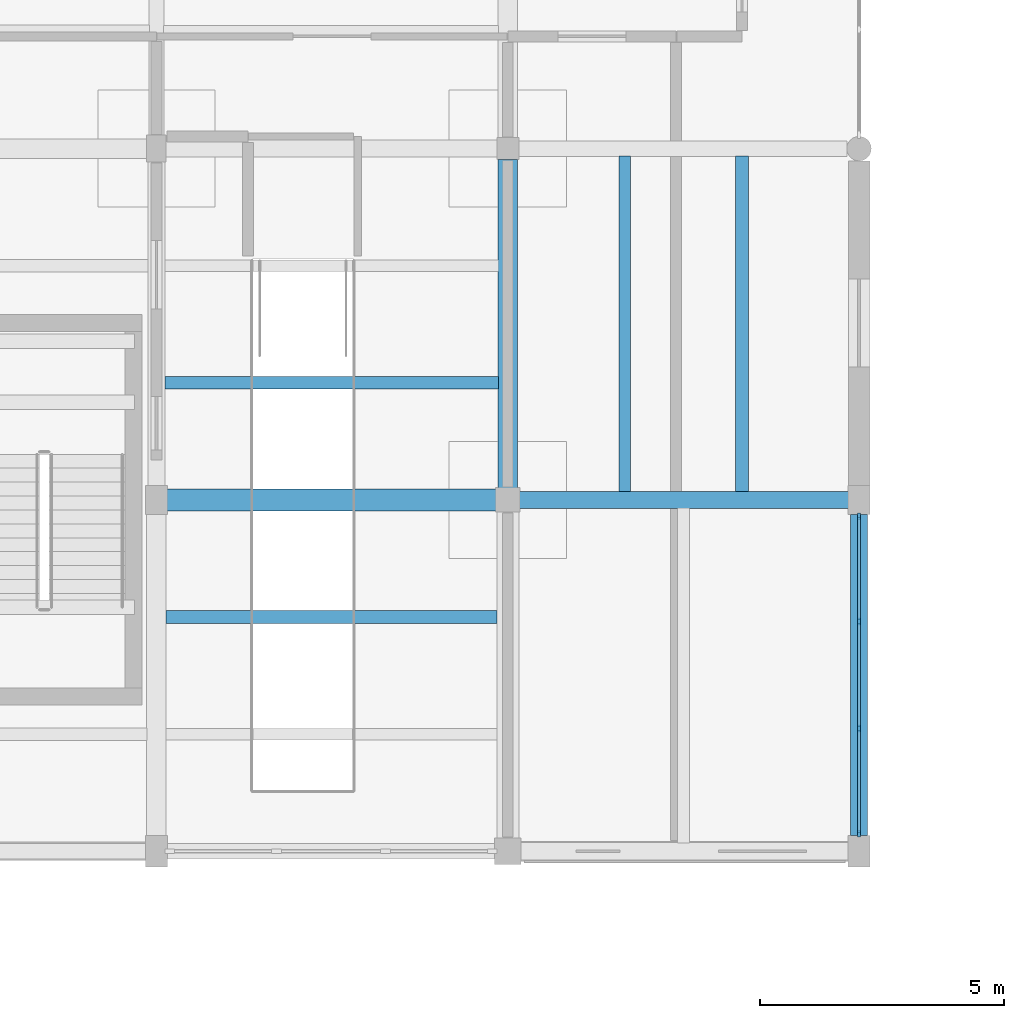
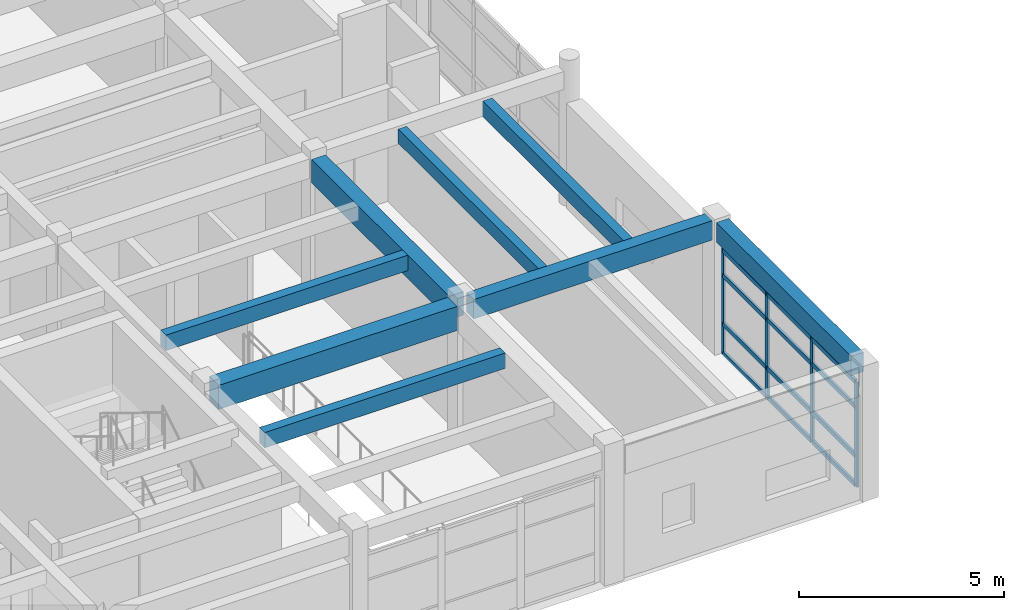
# One storey, part 48 of 110: 16 members, 8 beams, 1 element without a shape of its own.
"""IFC4 building model written with IfcOpenShell, lengths in metres."""

from ifc_helpers import new_model, si_unit, direction, frame, origin, origin_2d, place, context, subcontext, project, spatial, rectangle, extrude, material, material_profile, profile_set, type_object, element, aggregate, save


model = new_model("IFC4")

# Units and contexts
model_context = context("Model", 3, precision=1e-05, world=origin(), true_north=direction((0.0, 1.0)))
body_context = subcontext(model_context, "Body", "Model", "MODEL_VIEW")
ifc_project = project(units=[si_unit("LENGTHUNIT", "METRE"), si_unit("AREAUNIT", "SQUARE_METRE"), si_unit("VOLUMEUNIT", "CUBIC_METRE"), si_unit("PLANEANGLEUNIT", "RADIAN"), si_unit("MASSUNIT", "GRAM", prefix="KILO")], contexts=[model_context])

# Site, building, storey
site_placement = place(None, origin())
site = spatial("IfcSite", under=ifc_project, at=site_placement, CompositionType="ELEMENT")
building_placement = place(site_placement, origin())
building = spatial("IfcBuilding", under=site, at=building_placement, Name="Steenspoor Specialist Clinic", CompositionType="ELEMENT")
storey_placement = place(building_placement, frame((0.0, 0.0, 4.800048828125)))
storey = spatial("IfcBuildingStorey", under=building, at=storey_placement, Name="L01", CompositionType="ELEMENT", Elevation=4.800048828125)

# Beams
ifc_material_1 = material(Name="Concrete C35/45", Category="concrete")
ifc_material_profile_1 = material_profile(ifc_material_1, rectangle(XDim=0.35009765625, YDim=0.580078125, at=origin_2d()), Name="RC-BM-350X580")
ifc_profile_set_1 = profile_set([ifc_material_profile_1], Name="Concrete C35/45")
beam_type_1 = type_object("IfcBeamType", Name="BM-RC-350X580", PredefinedType="BEAM", material=ifc_profile_set_1)
beam_1_placement = place(storey_placement, frame((154.2451171875, 72.35009765625, 3.659912109375), z_axis=(1.0, 0.0, 0.0), x_axis=(0.0, 1.0, 0.0)))
element("IfcBeam", 1, at=beam_1_placement, inside=storey, type_object=beam_type_1, Name="BM-V6-L01-X1596", PredefinedType="BEAM", context=body_context, shape_type="SweptSolid", body=[
    extrude(rectangle(XDim=0.35009765625, YDim=0.580078125, at=origin_2d()), origin(), (0.0, 0.0, 1.0), 6.73486328125),
])
beam_2_placement = place(storey_placement, frame((161.199951171875, 65.469970703125, 3.659912109375), z_axis=(0.0, 1.0, 0.0), x_axis=(-1.0, 0.0, 0.0)))
element("IfcBeam", 2, at=beam_2_placement, inside=storey, type_object=beam_type_1, Name="BM-V6-L01-Y1597", PredefinedType="BEAM", context=body_context, shape_type="SweptSolid", body=[
    extrude(rectangle(XDim=0.35009765625, YDim=0.580078125, at=origin_2d()), origin(), (0.0, 0.0, 1.0), 6.5849609375),
])
ifc_material_profile_2 = material_profile(ifc_material_1, rectangle(XDim=0.39990234375, YDim=0.699951171875, at=origin_2d()), Name="RC-BM-400X700")
ifc_profile_set_2 = profile_set([ifc_material_profile_2], Name="Concrete C35/45")
beam_type_2 = type_object("IfcBeamType", Name="BM-RC-400X700", PredefinedType="BEAM", material=ifc_profile_set_2)
beam_3_placement = place(storey_placement, frame((154.0, 72.594970703125, 3.599853515625), z_axis=(0.0, 1.0, 0.0), x_axis=(-1.0, 0.0, 0.0)))
element("IfcBeam", 3, at=beam_3_placement, inside=storey, type_object=beam_type_2, Name="BM-V6-L01-Y1541", PredefinedType="BEAM", context=body_context, shape_type="SweptSolid", body=[
    extrude(rectangle(XDim=0.39990234375, YDim=0.699951171875, at=origin_2d()), origin(), (0.0, 0.0, 1.0), 6.735107421875),
])
ifc_material_profile_3 = material_profile(ifc_material_1, rectangle(XDim=0.449951171875, YDim=0.719970703125, at=origin_2d()), Name="RC-BM-450X720")
ifc_profile_set_3 = profile_set([ifc_material_profile_3], Name="Concrete C35/45")
beam_type_3 = type_object("IfcBeamType", Name="BM-RC-450X720", PredefinedType="BEAM", material=ifc_profile_set_3)
beam_4_placement = place(storey_placement, frame((147.02001953125, 72.35009765625, 3.58984375), z_axis=(1.0, 0.0, 0.0), x_axis=(0.0, 1.0, 0.0)))
element("IfcBeam", 4, at=beam_4_placement, inside=storey, type_object=beam_type_3, Name="BM-V6-L01-X1487", PredefinedType="BEAM", context=body_context, shape_type="SweptSolid", body=[
    extrude(rectangle(XDim=0.449951171875, YDim=0.719970703125, at=origin_2d()), origin(), (0.0, 0.0, 1.0), 6.73486328125),
])

# Curtain wall, members
ifc_material_2 = material(Name="Thermally broken aluminium and low-emissivity glass", Category="aluminium")
curtain_wall_type = type_object("IfcCurtainWallType", Name="CW-L00-660X415", PredefinedType="USERDEFINED", material=ifc_material_2)
curtain_wall_placement = place(storey_placement, origin())
curtain_wall = element("IfcCurtainWall", 5, at=curtain_wall_placement, inside=storey, type_object=curtain_wall_type, Name="Unitised Curtain Wall CW-V6-L01-172", ObjectType="UNITISED GLAZING", PredefinedType="USERDEFINED")
ifc_material_3 = material(Name="Thermally broken aluminium 6063-T6", Category="aluminium")
ifc_material_profile_4 = material_profile(ifc_material_3, rectangle(XDim=0.06005859375, YDim=0.135009765625, at=origin_2d()), Name="CWM-60X135")
ifc_profile_set_4 = profile_set([ifc_material_profile_4], Name="Thermally broken aluminium 6063-T6")
member_type_1 = type_object("IfcMemberType", Name="CW-MULL-60X135", PredefinedType="MULLION", material=ifc_profile_set_4)
member_1_placement = place(storey_placement, frame((161.199951171875, 72.02001953125, 0.0), z_axis=(0.0, 0.0, 1.0), x_axis=(1.0, 0.0, 0.0)))
member_1 = element("IfcMember", 6, at=member_1_placement, type_object=member_type_1, Name="CW-04 mullion 1", PredefinedType="MULLION", context=body_context, shape_type="SweptSolid", body=[
    extrude(rectangle(XDim=0.06005859375, YDim=0.135009765625, at=origin_2d()), origin(), (0.0, 0.0, 1.0), 3.1298828125),
])
member_2_placement = place(storey_placement, frame((161.199951171875, 69.8583984375, 0.0), z_axis=(0.0, 0.0, 1.0), x_axis=(1.0, 0.0, 0.0)))
member_2 = element("IfcMember", 7, at=member_2_placement, type_object=member_type_1, Name="CW-04 mullion 2", PredefinedType="MULLION", context=body_context, shape_type="SweptSolid", body=[
    extrude(rectangle(XDim=0.06005859375, YDim=0.135009765625, at=origin_2d()), origin(), (0.0, 0.0, 1.0), 3.1298828125),
])
member_3_placement = place(storey_placement, frame((161.199951171875, 67.666748046875, 0.0), z_axis=(0.0, 0.0, 1.0), x_axis=(1.0, 0.0, 0.0)))
member_3 = element("IfcMember", 8, at=member_3_placement, type_object=member_type_1, Name="CW-04 mullion 3", PredefinedType="MULLION", context=body_context, shape_type="SweptSolid", body=[
    extrude(rectangle(XDim=0.06005859375, YDim=0.135009765625, at=origin_2d()), origin(), (0.0, 0.0, 1.0), 3.1298828125),
])
member_4_placement = place(storey_placement, frame((161.199951171875, 65.5048828125, 0.0), z_axis=(0.0, 0.0, 1.0), x_axis=(1.0, 0.0, 0.0)))
member_4 = element("IfcMember", 9, at=member_4_placement, type_object=member_type_1, Name="CW-04 mullion 4", PredefinedType="MULLION", context=body_context, shape_type="SweptSolid", body=[
    extrude(rectangle(XDim=0.06005859375, YDim=0.135009765625, at=origin_2d()), origin(), (0.0, 0.0, 1.0), 3.1298828125),
])
ifc_material_profile_5 = material_profile(ifc_material_3, rectangle(XDim=0.06494140625, YDim=0.1298828125, at=origin_2d()), Name="CWT-65X130")
ifc_profile_set_5 = profile_set([ifc_material_profile_5], Name="Thermally broken aluminium 6063-T6")
member_type_2 = type_object("IfcMemberType", Name="CW-TRAN-65X130", PredefinedType="USERDEFINED", material=ifc_profile_set_5)
member_5_placement = place(storey_placement, frame((161.199951171875, 71.989990234375, 0.032470703125), z_axis=(0.0, -1.0, 0.0), x_axis=(1.0, 0.0, 0.0)))
member_5 = element("IfcMember", 10, at=member_5_placement, type_object=member_type_2, Name="CW-04 transom 1.1", ObjectType="TRANSOM", PredefinedType="USERDEFINED", context=body_context, shape_type="SweptSolid", body=[
    extrude(rectangle(XDim=0.06494140625, YDim=0.1298828125, at=origin_2d()), origin(), (0.0, 0.0, 1.0), 2.1015625),
])
member_6_placement = place(storey_placement, frame((161.199951171875, 71.989990234375, 0.89990234375), z_axis=(0.0, -1.0, 0.0), x_axis=(1.0, 0.0, 0.0)))
member_6 = element("IfcMember", 11, at=member_6_placement, type_object=member_type_2, Name="CW-04 transom 1.2", ObjectType="TRANSOM", PredefinedType="USERDEFINED", context=body_context, shape_type="SweptSolid", body=[
    extrude(rectangle(XDim=0.06494140625, YDim=0.1298828125, at=origin_2d()), origin(), (0.0, 0.0, 1.0), 2.1015625),
])
member_7_placement = place(storey_placement, frame((161.199951171875, 71.989990234375, 2.349853515625), z_axis=(0.0, -1.0, 0.0), x_axis=(1.0, 0.0, 0.0)))
member_7 = element("IfcMember", 12, at=member_7_placement, type_object=member_type_2, Name="CW-04 transom 1.3", ObjectType="TRANSOM", PredefinedType="USERDEFINED", context=body_context, shape_type="SweptSolid", body=[
    extrude(rectangle(XDim=0.06494140625, YDim=0.1298828125, at=origin_2d()), origin(), (0.0, 0.0, 1.0), 2.1015625),
])
member_8_placement = place(storey_placement, frame((161.199951171875, 71.989990234375, 3.097412109375), z_axis=(0.0, -1.0, 0.0), x_axis=(1.0, 0.0, 0.0)))
member_8 = element("IfcMember", 13, at=member_8_placement, type_object=member_type_2, Name="CW-04 transom 1.4", ObjectType="TRANSOM", PredefinedType="USERDEFINED", context=body_context, shape_type="SweptSolid", body=[
    extrude(rectangle(XDim=0.06494140625, YDim=0.1298828125, at=origin_2d()), origin(), (0.0, 0.0, 1.0), 2.1015625),
])
member_9_placement = place(storey_placement, frame((161.199951171875, 69.828369140625, 0.032470703125), z_axis=(0.0, -1.0, 0.0), x_axis=(1.0, 0.0, 0.0)))
member_9 = element("IfcMember", 14, at=member_9_placement, type_object=member_type_2, Name="CW-04 transom 2.1", ObjectType="TRANSOM", PredefinedType="USERDEFINED", context=body_context, shape_type="SweptSolid", body=[
    extrude(rectangle(XDim=0.06494140625, YDim=0.1298828125, at=origin_2d()), origin(), (0.0, 0.0, 1.0), 2.131591796875),
])
member_10_placement = place(storey_placement, frame((161.199951171875, 69.828369140625, 0.89990234375), z_axis=(0.0, -1.0, 0.0), x_axis=(1.0, 0.0, 0.0)))
member_10 = element("IfcMember", 15, at=member_10_placement, type_object=member_type_2, Name="CW-04 transom 2.2", ObjectType="TRANSOM", PredefinedType="USERDEFINED", context=body_context, shape_type="SweptSolid", body=[
    extrude(rectangle(XDim=0.06494140625, YDim=0.1298828125, at=origin_2d()), origin(), (0.0, 0.0, 1.0), 2.131591796875),
])
member_11_placement = place(storey_placement, frame((161.199951171875, 69.828369140625, 2.349853515625), z_axis=(0.0, -1.0, 0.0), x_axis=(1.0, 0.0, 0.0)))
member_11 = element("IfcMember", 16, at=member_11_placement, type_object=member_type_2, Name="CW-04 transom 2.3", ObjectType="TRANSOM", PredefinedType="USERDEFINED", context=body_context, shape_type="SweptSolid", body=[
    extrude(rectangle(XDim=0.06494140625, YDim=0.1298828125, at=origin_2d()), origin(), (0.0, 0.0, 1.0), 2.131591796875),
])
member_12_placement = place(storey_placement, frame((161.199951171875, 69.828369140625, 3.097412109375), z_axis=(0.0, -1.0, 0.0), x_axis=(1.0, 0.0, 0.0)))
member_12 = element("IfcMember", 17, at=member_12_placement, type_object=member_type_2, Name="CW-04 transom 2.4", ObjectType="TRANSOM", PredefinedType="USERDEFINED", context=body_context, shape_type="SweptSolid", body=[
    extrude(rectangle(XDim=0.06494140625, YDim=0.1298828125, at=origin_2d()), origin(), (0.0, 0.0, 1.0), 2.131591796875),
])
member_13_placement = place(storey_placement, frame((161.199951171875, 67.63671875, 0.032470703125), z_axis=(0.0, -1.0, 0.0), x_axis=(1.0, 0.0, 0.0)))
member_13 = element("IfcMember", 18, at=member_13_placement, type_object=member_type_2, Name="CW-04 transom 3.1", ObjectType="TRANSOM", PredefinedType="USERDEFINED", context=body_context, shape_type="SweptSolid", body=[
    extrude(rectangle(XDim=0.06494140625, YDim=0.1298828125, at=origin_2d()), origin(), (0.0, 0.0, 1.0), 2.101806640625),
])
member_14_placement = place(storey_placement, frame((161.199951171875, 67.63671875, 0.89990234375), z_axis=(0.0, -1.0, 0.0), x_axis=(1.0, 0.0, 0.0)))
member_14 = element("IfcMember", 19, at=member_14_placement, type_object=member_type_2, Name="CW-04 transom 3.2", ObjectType="TRANSOM", PredefinedType="USERDEFINED", context=body_context, shape_type="SweptSolid", body=[
    extrude(rectangle(XDim=0.06494140625, YDim=0.1298828125, at=origin_2d()), origin(), (0.0, 0.0, 1.0), 2.101806640625),
])
member_15_placement = place(storey_placement, frame((161.199951171875, 67.63671875, 2.349853515625), z_axis=(0.0, -1.0, 0.0), x_axis=(1.0, 0.0, 0.0)))
member_15 = element("IfcMember", 20, at=member_15_placement, type_object=member_type_2, Name="CW-04 transom 3.3", ObjectType="TRANSOM", PredefinedType="USERDEFINED", context=body_context, shape_type="SweptSolid", body=[
    extrude(rectangle(XDim=0.06494140625, YDim=0.1298828125, at=origin_2d()), origin(), (0.0, 0.0, 1.0), 2.101806640625),
])
member_16_placement = place(storey_placement, frame((161.199951171875, 67.63671875, 3.097412109375), z_axis=(0.0, -1.0, 0.0), x_axis=(1.0, 0.0, 0.0)))
member_16 = element("IfcMember", 21, at=member_16_placement, type_object=member_type_2, Name="CW-04 transom 3.4", ObjectType="TRANSOM", PredefinedType="USERDEFINED", context=body_context, shape_type="SweptSolid", body=[
    extrude(rectangle(XDim=0.06494140625, YDim=0.1298828125, at=origin_2d()), origin(), (0.0, 0.0, 1.0), 2.101806640625),
])
aggregate(curtain_wall, [member_1, member_2, member_3, member_4, member_5, member_6, member_7, member_8, member_9, member_10, member_11, member_12, member_13, member_14, member_15, member_16])

# Beams
ifc_material_profile_6 = material_profile(ifc_material_1, rectangle(XDim=0.239990234375, YDim=0.419921875, at=origin_2d()), Name="RC-JT-240X420")
ifc_profile_set_6 = profile_set([ifc_material_profile_6], Name="Concrete C35/45")
beam_type_4 = type_object("IfcBeamType", Name="JT-RC-240X420", PredefinedType="JOIST", material=ifc_profile_set_6)
beam_5_placement = place(storey_placement, frame((156.39990234375, 72.52001953125, 3.739990234375), z_axis=(0.0, 1.0, 0.0), x_axis=(-1.0, 0.0, 0.0)))
element("IfcBeam", 22, at=beam_5_placement, inside=storey, type_object=beam_type_4, Name="JT-V6-L01-1599", PredefinedType="JOIST", context=body_context, shape_type="SweptSolid", body=[
    extrude(rectangle(XDim=0.239990234375, YDim=0.419921875, at=origin_2d()), origin(), (0.0, 0.0, 1.0), 6.875),
])
ifc_material_profile_7 = material_profile(ifc_material_1, rectangle(XDim=0.260009765625, YDim=0.4599609375, at=origin_2d()), Name="RC-JT-260X460")
ifc_profile_set_7 = profile_set([ifc_material_profile_7], Name="Concrete C35/45")
beam_type_5 = type_object("IfcBeamType", Name="JT-RC-260X460", PredefinedType="JOIST", material=ifc_profile_set_7)
beam_6_placement = place(storey_placement, frame((146.9951171875, 69.949951171875, 3.719970703125), z_axis=(1.0, 0.0, 0.0), x_axis=(0.0, 1.0, 0.0)))
element("IfcBeam", 23, at=beam_6_placement, inside=storey, type_object=beam_type_5, Name="JT-V6-L01-1588", PredefinedType="JOIST", context=body_context, shape_type="SweptSolid", body=[
    extrude(rectangle(XDim=0.260009765625, YDim=0.4599609375, at=origin_2d()), origin(), (0.0, 0.0, 1.0), 6.784912109375),
])
beam_7_placement = place(storey_placement, frame((146.969970703125, 74.75, 3.719970703125), z_axis=(1.0, 0.0, 0.0), x_axis=(0.0, 1.0, 0.0)))
element("IfcBeam", 24, at=beam_7_placement, inside=storey, type_object=beam_type_5, Name="JT-V6-L01-1589", PredefinedType="JOIST", context=body_context, shape_type="SweptSolid", body=[
    extrude(rectangle(XDim=0.260009765625, YDim=0.4599609375, at=origin_2d()), origin(), (0.0, 0.0, 1.0), 6.8349609375),
])
beam_8_placement = place(storey_placement, frame((158.800048828125, 72.52001953125, 3.719970703125), z_axis=(0.0, 1.0, 0.0), x_axis=(-1.0, 0.0, 0.0)))
element("IfcBeam", 25, at=beam_8_placement, inside=storey, type_object=beam_type_5, Name="JT-V6-L01-1600", PredefinedType="JOIST", context=body_context, shape_type="SweptSolid", body=[
    extrude(rectangle(XDim=0.260009765625, YDim=0.4599609375, at=origin_2d()), origin(), (0.0, 0.0, 1.0), 6.875),
])

save(model, "model.ifc")
